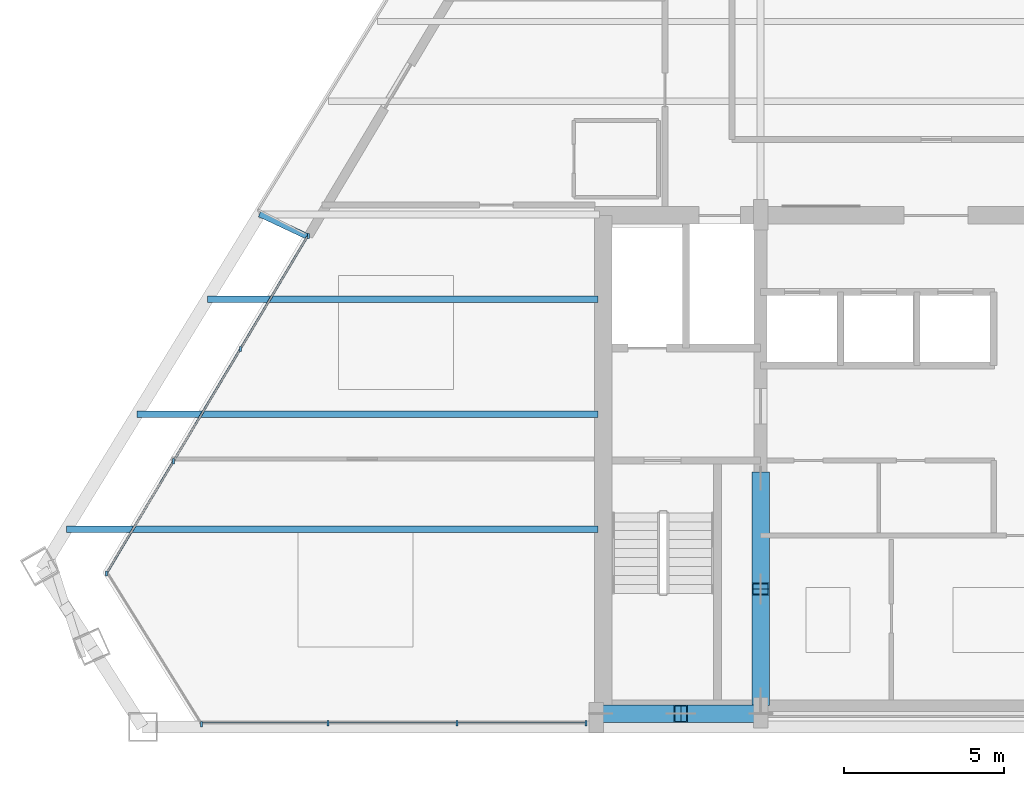
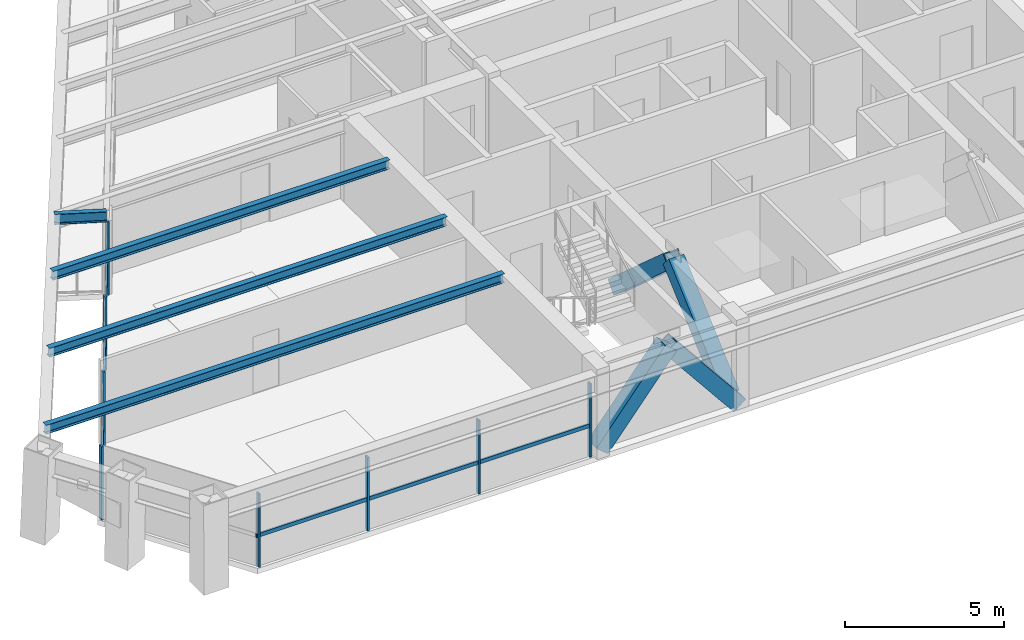
# One storey, part 2 of 12: 18 members, 4 beams, 3 elements without a shape of their own.
"""IFC4 building model written with IfcOpenShell, lengths in metres."""

from ifc_helpers import new_model, si_unit, direction, frame, origin, origin_2d, place, context, subcontext, project, spatial, rectangle, hollow_rectangle, i_section, extrude, source, transform, mapped, material, material_profile, profile_set, type_object, type_shapes, element, aggregate, save


model = new_model("IFC4")

# Units and contexts
model_context = context("Model", 3, precision=1e-05, world=origin(), true_north=direction((0.0, 1.0)))
body_context = subcontext(model_context, "Body", "Model", "MODEL_VIEW")
ifc_project = project(units=[si_unit("LENGTHUNIT", "METRE"), si_unit("AREAUNIT", "SQUARE_METRE"), si_unit("VOLUMEUNIT", "CUBIC_METRE"), si_unit("PLANEANGLEUNIT", "RADIAN"), si_unit("MASSUNIT", "GRAM", prefix="KILO")], contexts=[model_context])

# Site, building, storey
site_placement = place(None, origin())
site = spatial("IfcSite", under=ifc_project, at=site_placement, CompositionType="ELEMENT")
building_placement = place(site_placement, origin())
building = spatial("IfcBuilding", under=site, at=building_placement, Name="Varnakhor Terracotta Tower", CompositionType="ELEMENT")
storey_placement = place(building_placement, frame((0.0, 0.0, 226.89990234375)))
storey = spatial("IfcBuildingStorey", under=building, at=storey_placement, Name="L58", CompositionType="ELEMENT", Elevation=226.89990234375)

# Members
ifc_material_1 = material(Name="Steel S355", Category="steel")
ifc_material_profile_1 = material_profile(ifc_material_1, hollow_rectangle(XDim=0.550048828125, YDim=0.550048828125, WallThickness=0.034912109375, at=origin_2d()), Name="HSS550X550X35")
ifc_profile_set_1 = profile_set([ifc_material_profile_1], Name="Steel S355")
member_type_1 = type_object("IfcMemberType", Name="MBR-MEGA-550", PredefinedType="BRACE", material=ifc_profile_set_1)
shared_shape_1 = source(origin(), body_context, "Body", "SweptSolid", [
    extrude(hollow_rectangle(XDim=0.550048828125, YDim=0.550048828125, WallThickness=0.034912109375, at=origin_2d()), origin(), (0.0, 0.0, 1.0), 3.974853515625),
])
for number, where, z_axis, x_axis, name in (
    (1, (-10.5, 0.419921875, 0.0), (0.628970263838, 0.0, 0.777429358339), (0.0, 1.0, 0.0), "L58 Core Coupled Brace CSWA"),
    (2, (-5.5, 0.419921875, 0.0), (-0.628970263838, 0.0, 0.777429358339), (0.0, -1.0, 0.0), "L58 Core Coupled Brace CSWB"),
):
    element("IfcMember", number, at=place(storey_placement, frame(where, z_axis=z_axis, x_axis=x_axis)), inside=storey, type_object=member_type_1, Name=name, PredefinedType="BRACE", context=body_context, shape_type="MappedRepresentation", body=[
        mapped(shared_shape_1, transform((0.0, 0.0, 0.0), scale=1.0)),
    ])
shared_shape_2 = source(origin(), body_context, "Body", "SweptSolid", [
    extrude(hollow_rectangle(XDim=0.550048828125, YDim=0.550048828125, WallThickness=0.034912109375, at=origin_2d()), origin(), (0.0, 0.0, 1.0), 4.650146484375),
])
for number, where, z_axis, x_axis, name in (
    (3, (-5.5, 0.85009765625, 0.0), (0.0, 0.74726736397, 0.664523503532), (-1.0, 0.0, 0.0), "L58 Core Coupled Brace CWWA"),
    (4, (-5.5, 7.800048828125, 0.0), (0.0, -0.74729054724, 0.664497432655), (1.0, 0.0, 0.0), "L58 Core Coupled Brace CWWB"),
):
    element("IfcMember", number, at=place(storey_placement, frame(where, z_axis=z_axis, x_axis=x_axis)), inside=storey, type_object=member_type_1, Name=name, PredefinedType="BRACE", context=body_context, shape_type="MappedRepresentation", body=[
        mapped(shared_shape_2, transform((0.0, 0.0, 0.0), scale=1.0)),
    ])

# Beams
ifc_material_profile_2 = material_profile(ifc_material_1, i_section(OverallWidth=0.202880859375, OverallDepth=0.346923828125, WebThickness=0.0078125, FlangeThickness=0.013427734375, FilletRadius=0.01806640625, at=origin_2d()), Name="W14X43")
ifc_profile_set_2 = profile_set([ifc_material_profile_2], Name="Steel S355")
beam_type_1 = type_object("IfcBeamType", Name="JST-W14X43", PredefinedType="JOIST", material=ifc_profile_set_2)
shared_shape_3 = source(origin(), body_context, "Body", "SweptSolid", [
    extrude(i_section(OverallWidth=0.202880859375, OverallDepth=0.346923828125, WebThickness=0.0078125, FlangeThickness=0.013427734375, FilletRadius=0.01806640625, at=origin_2d()), origin(), (0.0, 0.0, 1.0), 16.64111328125),
])
beam_1_placement = place(storey_placement, frame((-27.2412109375, 6.199951171875, 3.066650390625), z_axis=(1.0, 0.0, 0.0), x_axis=(0.0, 1.0, 0.0)))
element("IfcBeam", 5, at=beam_1_placement, inside=storey, type_object=beam_type_1, Name="L58 Floor Joist W1", PredefinedType="JOIST", context=body_context, shape_type="MappedRepresentation", body=[
    mapped(shared_shape_3, transform((0.0, 0.0, 0.0), scale=1.0)),
])
shared_shape_4 = source(origin(), body_context, "Body", "SweptSolid", [
    extrude(i_section(OverallWidth=0.202880859375, OverallDepth=0.346923828125, WebThickness=0.0078125, FlangeThickness=0.013427734375, FilletRadius=0.01806640625, at=origin_2d()), origin(), (0.0, 0.0, 1.0), 14.43505859375),
])
beam_2_placement = place(storey_placement, frame((-25.03515625, 9.800048828125, 3.066650390625), z_axis=(1.0, 0.0, 0.0), x_axis=(0.0, 1.0, 0.0)))
element("IfcBeam", 6, at=beam_2_placement, inside=storey, type_object=beam_type_1, Name="L58 Floor Joist W2", PredefinedType="JOIST", context=body_context, shape_type="MappedRepresentation", body=[
    mapped(shared_shape_4, transform((0.0, 0.0, 0.0), scale=1.0)),
])
shared_shape_5 = source(origin(), body_context, "Body", "SweptSolid", [
    extrude(i_section(OverallWidth=0.202880859375, OverallDepth=0.346923828125, WebThickness=0.0078125, FlangeThickness=0.013427734375, FilletRadius=0.01806640625, at=origin_2d()), origin(), (0.0, 0.0, 1.0), 12.22900390625),
])
beam_3_placement = place(storey_placement, frame((-22.8291015625, 13.39990234375, 3.066650390625), z_axis=(1.0, 0.0, 0.0), x_axis=(0.0, 1.0, 0.0)))
element("IfcBeam", 7, at=beam_3_placement, inside=storey, type_object=beam_type_1, Name="L58 Floor Joist W3", PredefinedType="JOIST", context=body_context, shape_type="MappedRepresentation", body=[
    mapped(shared_shape_5, transform((0.0, 0.0, 0.0), scale=1.0)),
])

# Curtain wall, members
ifc_material_2 = material(Name="Anodised Aluminium Curtain Wall System", Category="aluminium")
curtain_wall_type = type_object("IfcCurtainWallType", Name="CW-SYS-HOTEL-LOGGIA", PredefinedType="NOTDEFINED", material=ifc_material_2)
curtain_wall_1_placement = place(storey_placement, origin())
curtain_wall_1 = element("IfcCurtainWall", 8, at=curtain_wall_1_placement, inside=storey, type_object=curtain_wall_type, Name="L58 W Facet Curtain Wall 1", PredefinedType="NOTDEFINED")
ifc_material_3 = material(Name="Anodised Aluminium 6063-T6", Category="aluminium")
ifc_material_profile_3 = material_profile(ifc_material_3, rectangle(XDim=0.06494140625, YDim=0.159912109375, at=origin_2d()), Name="ALU MULLION 65x160")
ifc_profile_set_3 = profile_set([ifc_material_profile_3], Name="Anodised Aluminium 6063-T6")
member_type_2 = type_object("IfcMemberType", Name="CWM-04", PredefinedType="MULLION", material=ifc_profile_set_3)
shared_shape_6 = source(origin(), body_context, "Body", "SweptSolid", [
    extrude(rectangle(XDim=0.06494140625, YDim=0.159912109375, at=origin_2d()), origin(), (0.0, 0.0, 1.0), 2.820068359375),
])
type_shapes(member_type_2, [shared_shape_6])
member_1_placement = place(storey_placement, frame((-25.989501953125, 4.803955078125, 0.0), z_axis=(0.0, 0.0, 1.0), x_axis=(1.0, 0.0, 0.0)))
member_1 = element("IfcMember", 9, at=member_1_placement, type_object=member_type_2, Name="L58 W Facet Curtain Wall 1 Mullion 1", PredefinedType="MULLION", context=body_context, shape_type="MappedRepresentation", body=[
    mapped(shared_shape_6, transform((0.0, 0.0, 0.0), scale=1.0)),
])
member_2_placement = place(storey_placement, frame((-23.89111328125, 8.32470703125, 0.0), z_axis=(0.0, 0.0, 1.0), x_axis=(1.0, 0.0, 0.0)))
member_2 = element("IfcMember", 10, at=member_2_placement, type_object=member_type_2, Name="L58 W Facet Curtain Wall 1 Mullion 2", PredefinedType="MULLION", context=body_context, shape_type="MappedRepresentation", body=[
    mapped(shared_shape_6, transform((0.0, 0.0, 0.0), scale=1.0)),
])
member_3_placement = place(storey_placement, frame((-21.792724609375, 11.845703125, 0.0), z_axis=(0.0, 0.0, 1.0), x_axis=(1.0, 0.0, 0.0)))
member_3 = element("IfcMember", 11, at=member_3_placement, type_object=member_type_2, Name="L58 W Facet Curtain Wall 1 Mullion 3", PredefinedType="MULLION", context=body_context, shape_type="MappedRepresentation", body=[
    mapped(shared_shape_6, transform((0.0, 0.0, 0.0), scale=1.0)),
])
member_4_placement = place(storey_placement, frame((-19.661865234375, 15.3818359375, 0.0), z_axis=(0.0, 0.0, 1.0), x_axis=(1.0, 0.0, 0.0)))
member_4 = element("IfcMember", 12, at=member_4_placement, type_object=member_type_2, Name="L58 W Loggia Jamb Closure Mullion 1", PredefinedType="MULLION", context=body_context, shape_type="MappedRepresentation", body=[
    mapped(shared_shape_6, transform((0.0, 0.0, 0.0), scale=1.0)),
])

curtain_wall_2_placement = place(storey_placement, origin())
curtain_wall_2 = element("IfcCurtainWall", 13, at=curtain_wall_2_placement, inside=storey, type_object=curtain_wall_type, Name="L58 South Wing Curtain Wall SSW", PredefinedType="NOTDEFINED")
member_5_placement = place(storey_placement, frame((-10.969970703125, 0.1201171875, 0.0), z_axis=(0.0, 0.0, 1.0), x_axis=(1.0, 0.0, 0.0)))
member_5 = element("IfcMember", 14, at=member_5_placement, type_object=member_type_2, Name="L58 South Wing Curtain Wall SSW Mullion 1", PredefinedType="MULLION", context=body_context, shape_type="MappedRepresentation", body=[
    mapped(shared_shape_6, transform((0.0, 0.0, 0.0), scale=1.0)),
])
member_6_placement = place(storey_placement, frame((-15.007568359375, 0.1201171875, 0.0), z_axis=(0.0, 0.0, 1.0), x_axis=(1.0, 0.0, 0.0)))
member_6 = element("IfcMember", 15, at=member_6_placement, type_object=member_type_2, Name="L58 South Wing Curtain Wall SSW Mullion 2", PredefinedType="MULLION", context=body_context, shape_type="MappedRepresentation", body=[
    mapped(shared_shape_6, transform((0.0, 0.0, 0.0), scale=1.0)),
])
member_7_placement = place(storey_placement, frame((-19.044921875, 0.1201171875, 0.0), z_axis=(0.0, 0.0, 1.0), x_axis=(1.0, 0.0, 0.0)))
member_7 = element("IfcMember", 16, at=member_7_placement, type_object=member_type_2, Name="L58 South Wing Curtain Wall SSW Mullion 3", PredefinedType="MULLION", context=body_context, shape_type="MappedRepresentation", body=[
    mapped(shared_shape_6, transform((0.0, 0.0, 0.0), scale=1.0)),
])

# Curtain wall, member
curtain_wall_3_placement = place(storey_placement, origin())
curtain_wall_3 = element("IfcCurtainWall", 17, at=curtain_wall_3_placement, inside=storey, type_object=curtain_wall_type, Name="L58 Facet Curtain Wall 6", PredefinedType="NOTDEFINED")
member_8_placement = place(storey_placement, frame((-23.00634765625, 0.0888671875, 0.0), z_axis=(0.0, 0.0, 1.0), x_axis=(1.0, 0.0, 0.0)))
member_8 = element("IfcMember", 18, at=member_8_placement, type_object=member_type_2, Name="L58 Facet Curtain Wall 6 Mullion 1", PredefinedType="MULLION", context=body_context, shape_type="MappedRepresentation", body=[
    mapped(shared_shape_6, transform((0.0, 0.0, 0.0), scale=1.0)),
])
aggregate(curtain_wall_3, [member_8])

# Member
ifc_material_profile_4 = material_profile(ifc_material_3, rectangle(XDim=0.06494140625, YDim=0.14501953125, at=origin_2d()), Name="ALU TRANSOM 65x145")
ifc_profile_set_4 = profile_set([ifc_material_profile_4], Name="Anodised Aluminium 6063-T6")
member_type_3 = type_object("IfcMemberType", Name="CWT-04", PredefinedType="USERDEFINED", material=ifc_profile_set_4)
shared_shape_7 = source(origin(), body_context, "Body", "SweptSolid", [
    extrude(rectangle(XDim=0.06494140625, YDim=0.14501953125, at=origin_2d()), origin(), (0.0, 0.0, 1.0), 4.0986328125),
])
member_9_placement = place(storey_placement, frame((-25.989501953125, 4.803955078125, 1.1845703125), z_axis=(0.511970728732, 0.859002894595, 0.0), x_axis=(-0.859002894595, 0.511970728732, 0.0)))
member_9 = element("IfcMember", 19, at=member_9_placement, type_object=member_type_3, Name="L58 W Facet Curtain Wall 1 Transom 1", ObjectType="TRANSOM", PredefinedType="USERDEFINED", context=body_context, shape_type="MappedRepresentation", body=[
    mapped(shared_shape_7, transform((0.0, 0.0, 0.0), scale=1.0)),
])

member_10_placement = place(storey_placement, frame((-21.792724609375, 11.845703125, 1.1845703125), z_axis=(0.511926773723, 0.859029090512, 0.0), x_axis=(-0.859029090512, 0.511926773723, 0.0)))
member_10 = element("IfcMember", 20, at=member_10_placement, type_object=member_type_3, Name="L58 W Facet Curtain Wall 1 Transom 3", ObjectType="TRANSOM", PredefinedType="USERDEFINED", context=body_context, shape_type="MappedRepresentation", body=[
    mapped(shared_shape_7, transform((0.0, 0.0, 0.0), scale=1.0)),
])

shared_shape_8 = source(origin(), body_context, "Body", "SweptSolid", [
    extrude(rectangle(XDim=0.06494140625, YDim=0.14501953125, at=origin_2d()), origin(), (0.0, 0.0, 1.0), 4.098876953125),
])
member_11_placement = place(storey_placement, frame((-23.89111328125, 8.32470703125, 1.1845703125), z_axis=(0.511944533591, 0.85901850651, 0.0), x_axis=(-0.85901850651, 0.511944533591, 0.0)))
member_11 = element("IfcMember", 21, at=member_11_placement, type_object=member_type_3, Name="L58 W Facet Curtain Wall 1 Transom 2", ObjectType="TRANSOM", PredefinedType="USERDEFINED", context=body_context, shape_type="MappedRepresentation", body=[
    mapped(shared_shape_8, transform((0.0, 0.0, 0.0), scale=1.0)),
])

aggregate(curtain_wall_1, [member_1, member_9, member_2, member_11, member_3, member_10, member_4])

shared_shape_9 = source(origin(), body_context, "Body", "SweptSolid", [
    extrude(rectangle(XDim=0.06494140625, YDim=0.14501953125, at=origin_2d()), origin(), (0.0, 0.0, 1.0), 4.03759765625),
])
member_12_placement = place(storey_placement, frame((-10.969970703125, 0.1201171875, 1.1845703125), z_axis=(-1.0, 0.0, 0.0), x_axis=(0.0, -1.0, 0.0)))
member_12 = element("IfcMember", 22, at=member_12_placement, type_object=member_type_3, Name="L58 South Wing Curtain Wall SSW Transom 1", ObjectType="TRANSOM", PredefinedType="USERDEFINED", context=body_context, shape_type="MappedRepresentation", body=[
    mapped(shared_shape_9, transform((0.0, 0.0, 0.0), scale=1.0)),
])

member_13_placement = place(storey_placement, frame((-19.044921875, 0.1201171875, 1.1845703125), z_axis=(-1.0, 0.0, 0.0), x_axis=(0.0, -1.0, 0.0)))
member_13 = element("IfcMember", 23, at=member_13_placement, type_object=member_type_3, Name="L58 South Wing Curtain Wall SSW Transom 3", ObjectType="TRANSOM", PredefinedType="USERDEFINED", context=body_context, shape_type="MappedRepresentation", body=[
    mapped(shared_shape_9, transform((0.0, 0.0, 0.0), scale=1.0)),
])

shared_shape_10 = source(origin(), body_context, "Body", "SweptSolid", [
    extrude(rectangle(XDim=0.06494140625, YDim=0.14501953125, at=origin_2d()), origin(), (0.0, 0.0, 1.0), 4.037353515625),
])
member_14_placement = place(storey_placement, frame((-15.007568359375, 0.1201171875, 1.1845703125), z_axis=(-1.0, 0.0, 0.0), x_axis=(0.0, -1.0, 0.0)))
member_14 = element("IfcMember", 24, at=member_14_placement, type_object=member_type_3, Name="L58 South Wing Curtain Wall SSW Transom 2", ObjectType="TRANSOM", PredefinedType="USERDEFINED", context=body_context, shape_type="MappedRepresentation", body=[
    mapped(shared_shape_10, transform((0.0, 0.0, 0.0), scale=1.0)),
])

aggregate(curtain_wall_2, [member_5, member_12, member_6, member_14, member_7, member_13])

# Beam
ifc_material_profile_5 = material_profile(ifc_material_1, i_section(OverallWidth=0.179931640625, OverallDepth=0.39990234375, WebThickness=0.008544921875, FlangeThickness=0.013427734375, FilletRadius=0.01806640625, at=origin_2d()), Name="IPE400")
ifc_profile_set_5 = profile_set([ifc_material_profile_5], Name="Steel S355")
beam_type_2 = type_object("IfcBeamType", Name="JST-IPE400", PredefinedType="JOIST", material=ifc_profile_set_5)
shared_shape_11 = source(origin(), body_context, "Body", "SweptSolid", [
    extrude(i_section(OverallWidth=0.179931640625, OverallDepth=0.39990234375, WebThickness=0.008544921875, FlangeThickness=0.013427734375, FilletRadius=0.01806640625, at=origin_2d()), origin(), (0.0, 0.0, 1.0), 1.642333984375),
])
beam_4_placement = place(storey_placement, frame((-19.70654296875, 15.371826171875, 3.0400390625), z_axis=(-0.905608844079, 0.424113925174, 0.0), x_axis=(-0.424113925174, -0.905608844079, 0.0)))
element("IfcBeam", 25, at=beam_4_placement, inside=storey, type_object=beam_type_2, Name="L59 W Loggia Tie Beam 1", PredefinedType="JOIST", context=body_context, shape_type="MappedRepresentation", body=[
    mapped(shared_shape_11, transform((0.0, 0.0, 0.0), scale=1.0)),
])

save(model, "model.ifc")
